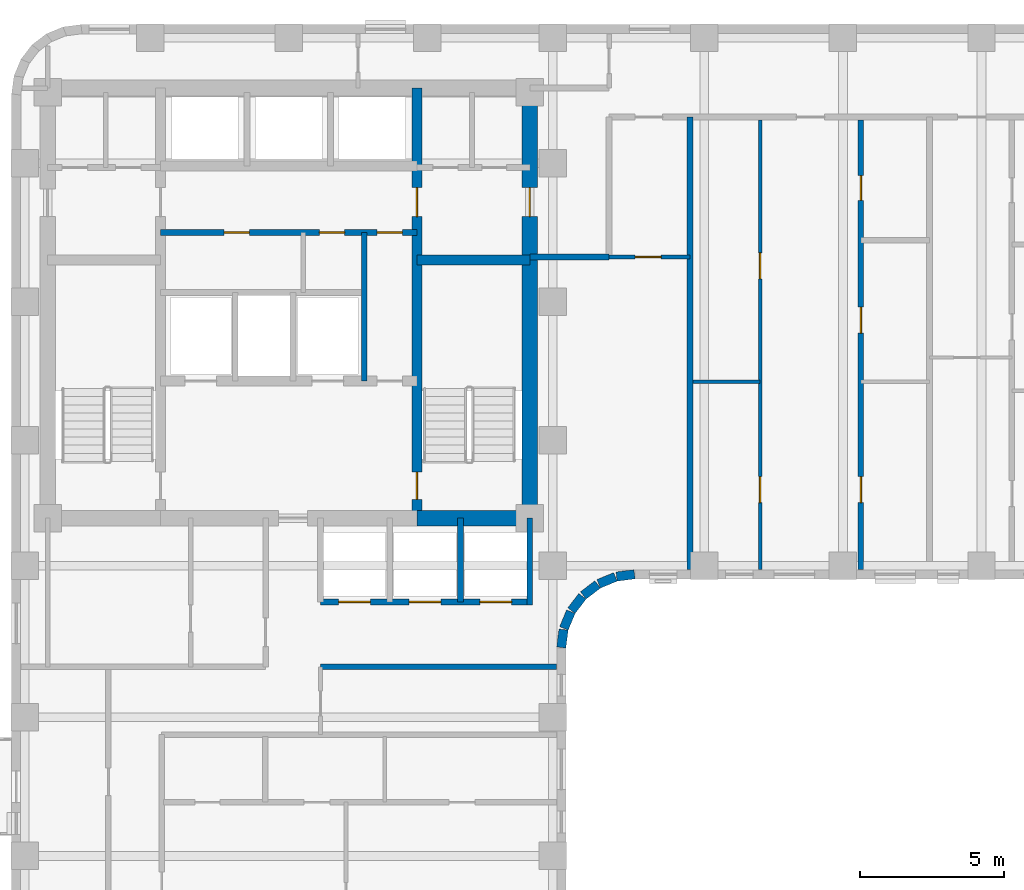
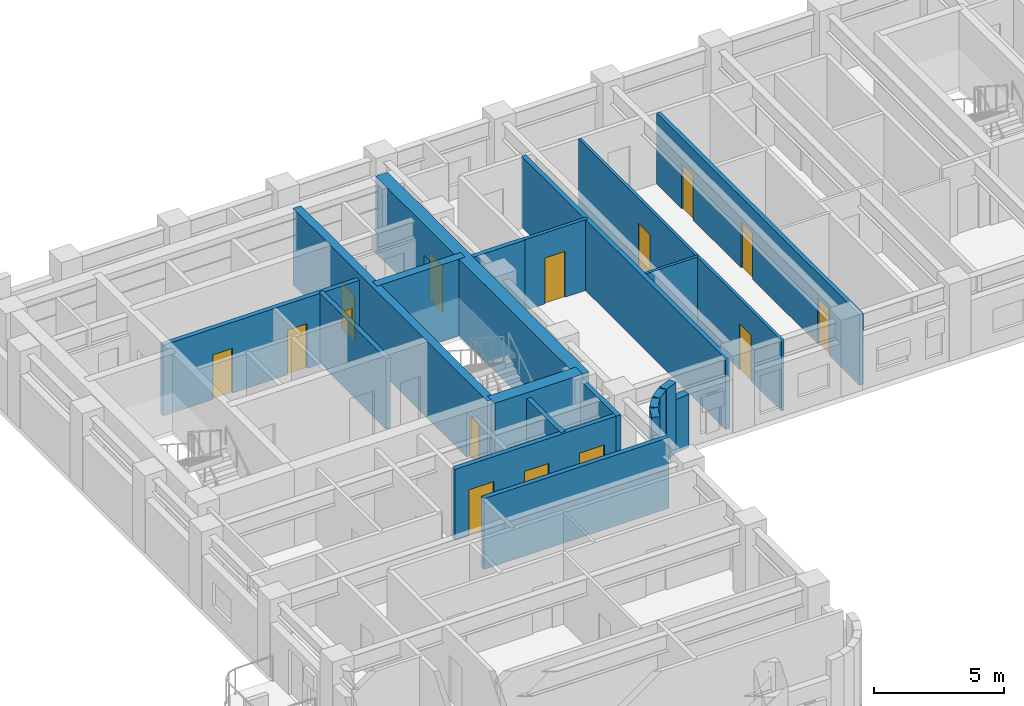
# One storey, part 4 of 10: 22 walls, 15 doors, 15 openings.
"""IFC4 building model written with IfcOpenShell, lengths in metres."""

from ifc_helpers import new_model, si_unit, direction, frame, frame_2d, origin, place, context, subcontext, project, spatial, rectangle, extrude, material, layer, layer_set, type_object, element, fill, save


model = new_model("IFC4")

# Units and contexts
model_context = context("Model", 3, precision=1e-05, world=origin(), true_north=direction((0.0, 1.0)))
body_context = subcontext(model_context, "Body", "Model", "MODEL_VIEW")
ifc_project = project(units=[si_unit("LENGTHUNIT", "METRE"), si_unit("AREAUNIT", "SQUARE_METRE"), si_unit("VOLUMEUNIT", "CUBIC_METRE"), si_unit("PLANEANGLEUNIT", "RADIAN"), si_unit("MASSUNIT", "GRAM", prefix="KILO")], contexts=[model_context])

# Site, building, storey
site_placement = place(None, origin())
site = spatial("IfcSite", under=ifc_project, at=site_placement, CompositionType="ELEMENT")
building_placement = place(site_placement, origin())
building = spatial("IfcBuilding", under=site, at=building_placement, Name="Orvandelia Arch Residences", CompositionType="ELEMENT")
storey_placement = place(building_placement, frame((0.0, 0.0, 150.39990234375)))
storey = spatial("IfcBuildingStorey", under=building, at=storey_placement, Name="L39", CompositionType="ELEMENT", Elevation=150.39990234375)

# Wall, openings, doors
ifc_material_1 = material(Name="Concrete C50/60", Category="concrete")
ifc_layer_1 = layer(ifc_material_1, 0.35009765625, Name="Concrete C50/60", Category="concrete")
ifc_layer_set_1 = layer_set([ifc_layer_1], Name="Concrete C50/60")
wall_type_1 = type_object("IfcWallType", Name="WL-CORE-350", PredefinedType="SHEAR", material=ifc_layer_set_1)
wall_1_placement = place(storey_placement, frame((18.840087890625, 30.89990234375, 0.0), z_axis=(0.0, 0.0, 1.0), x_axis=(0.0, 1.0, 0.0)))
wall_1 = element("IfcWall", 1, at=wall_1_placement, inside=storey, type_object=wall_type_1, Name="Core Shear Wall L39-WEB2", PredefinedType="SHEAR", context=body_context, shape_type="SweptSolid", body=[
    extrude(rectangle(XDim=14.900146484375, YDim=0.35009765625, at=frame_2d((7.4501953125, 0.0))), origin(), (0.0, 0.0, 1.0), 3.60009765625),
])
opening_1_placement = place(wall_1_placement, frame((0.64990234375, 0.0, 0.0)))
opening_1 = element("IfcOpeningElement", 2, at=opening_1_placement, cuts=wall_1, Name="Opening D7", PredefinedType="OPENING", context=body_context, shape_type="SweptSolid", body=[
    extrude(rectangle(XDim=0.949951171875, YDim=2.10009765625, at=frame_2d((0.47509765625, 1.050048828125))), frame((0.0, 0.18505859375, 0.0), z_axis=(0.0, -1.0, 0.0), x_axis=(1.0, 0.0, 0.0)), (0.0, 0.0, 1.0), 0.3701171875),
])
opening_2_placement = place(wall_1_placement, frame((10.449951171875, 0.0, 0.0)))
opening_2 = element("IfcOpeningElement", 3, at=opening_2_placement, cuts=wall_1, Name="Opening D6", PredefinedType="OPENING", context=body_context, shape_type="SweptSolid", body=[
    extrude(rectangle(XDim=1.0, YDim=2.14990234375, at=frame_2d((0.5, 1.074951171875))), frame((0.0, 0.18505859375, 0.0), z_axis=(0.0, -1.0, 0.0), x_axis=(1.0, 0.0, 0.0)), (0.0, 0.0, 1.0), 0.3701171875),
])
ifc_material_2 = material(Name="Smokeproof Painted Steel Fire Door", Category="steel")
door_type_1 = type_object("IfcDoorType", Name="DR-FD60-1000", OperationType="NOTDEFINED", PredefinedType="DOOR", material=ifc_material_2)
door_1_placement = place(opening_2_placement, origin())
door_1 = element("IfcDoor", 4, at=door_1_placement, inside=storey, type_object=door_type_1, Name="High-Rise Lift Hall East Vestibule Door L39", OperationType="SINGLE_SWING_RIGHT", OverallHeight=2.14990234375, OverallWidth=1.0, PredefinedType="DOOR", context=body_context, shape_type="SweptSolid", body=[
    extrude(rectangle(XDim=1.0, YDim=2.14990234375, at=frame_2d((0.5, 1.074951171875))), frame((0.0, 0.02490234375, 0.0), z_axis=(0.0, -1.0, 0.0), x_axis=(1.0, 0.0, 0.0)), (0.0, 0.0, 1.0), 0.050048828125),
])
fill(opening_2, door_1)
ifc_material_3 = material(Name="Pressurised Stairwell Fire Door")
door_type_2 = type_object("IfcDoorType", Name="DR-STAIR-950", OperationType="NOTDEFINED", PredefinedType="DOOR", material=ifc_material_3)
door_2_placement = place(opening_1_placement, origin())
door_2 = element("IfcDoor", 5, at=door_2_placement, inside=storey, type_object=door_type_2, Name="Stairwell ST-2 Fire Door L39", OperationType="SINGLE_SWING_RIGHT", OverallHeight=2.10009765625, OverallWidth=0.949951171875, PredefinedType="DOOR", context=body_context, shape_type="SweptSolid", body=[
    extrude(rectangle(XDim=0.949951171875, YDim=2.10009765625, at=frame_2d((0.47509765625, 1.050048828125))), frame((0.0, 0.02490234375, 0.0), z_axis=(0.0, -1.0, 0.0), x_axis=(1.0, 0.0, 0.0)), (0.0, 0.0, 1.0), 0.050048828125),
])
fill(opening_1, door_2)

# Wall
wall_2_placement = place(storey_placement, frame((18.840087890625, 39.85009765625, 0.0), z_axis=(0.0, 0.0, 1.0), x_axis=(1.0, 0.0, 0.0)))
element("IfcWall", 6, at=wall_2_placement, inside=storey, type_object=wall_type_1, Name="Core Shear Wall L39-HZ2", PredefinedType="SHEAR", context=body_context, shape_type="SweptSolid", body=[
    extrude(rectangle(XDim=3.909912109375, YDim=0.35009765625, at=frame_2d((1.955078125, 0.0))), origin(), (0.0, 0.0, 1.0), 3.60009765625),
])

# Wall, opening, door
ifc_material_4 = material(Name="Concrete C60/75", Category="concrete")
ifc_layer_2 = layer(ifc_material_4, 0.550048828125, Name="Concrete C60/75", Category="concrete")
ifc_layer_set_2 = layer_set([ifc_layer_2], Name="Concrete C60/75")
wall_type_2 = type_object("IfcWallType", Name="WL-CORE-550", PredefinedType="SHEAR", material=ifc_layer_set_2)
wall_3_placement = place(storey_placement, frame((22.75, 30.625, 0.0), z_axis=(0.0, 0.0, 1.0), x_axis=(0.0, 1.0, 0.0)))
wall_3 = element("IfcWall", 7, at=wall_3_placement, inside=storey, type_object=wall_type_2, Name="Core Shear Wall L39-E", PredefinedType="SHEAR", context=body_context, shape_type="SweptSolid", body=[
    extrude(rectangle(XDim=15.449951171875, YDim=0.550048828125, at=frame_2d((7.72509765625, 0.0))), origin(), (0.0, 0.0, 1.0), 3.60009765625),
])
opening_3_placement = place(wall_3_placement, frame((10.72509765625, 0.0, 0.0)))
opening_3 = element("IfcOpeningElement", 8, at=opening_3_placement, cuts=wall_3, Name="Opening D6", PredefinedType="OPENING", context=body_context, shape_type="SweptSolid", body=[
    extrude(rectangle(XDim=1.0, YDim=2.14990234375, at=frame_2d((0.5, 1.074951171875))), frame((0.0, 0.28515625, 0.0), z_axis=(0.0, -1.0, 0.0), x_axis=(1.0, 0.0, 0.0)), (0.0, 0.0, 1.0), 0.570068359375),
])
door_3_placement = place(opening_3_placement, origin())
door_3 = element("IfcDoor", 9, at=door_3_placement, inside=storey, type_object=door_type_1, Name="Core East Corridor Link Door L39", OperationType="SINGLE_SWING_LEFT", OverallHeight=2.14990234375, OverallWidth=1.0, PredefinedType="DOOR", context=body_context, shape_type="SweptSolid", body=[
    extrude(rectangle(XDim=1.0, YDim=2.14990234375, at=frame_2d((0.5, 1.074951171875))), frame((0.0, 0.02490234375, 0.0), z_axis=(0.0, -1.0, 0.0), x_axis=(1.0, 0.0, 0.0)), (0.0, 0.0, 1.0), 0.050048828125),
])
fill(opening_3, door_3)

# Walls
wall_4_placement = place(storey_placement, frame((18.840087890625, 30.89990234375, 0.0), z_axis=(0.0, 0.0, 1.0), x_axis=(1.0, 0.0, 0.0)))
element("IfcWall", 10, at=wall_4_placement, inside=storey, type_object=wall_type_2, Name="Core Shear Wall L39-SE", PredefinedType="SHEAR", context=body_context, shape_type="SweptSolid", body=[
    extrude(rectangle(XDim=3.909912109375, YDim=0.550048828125, at=frame_2d((1.955078125, 0.0))), origin(), (0.0, 0.0, 1.0), 3.60009765625),
])
ifc_material_5 = material(Name="Fire-Rated Corridor Partition")
ifc_layer_3 = layer(ifc_material_5, 0.199951171875, Name="Fire-Rated Corridor Partition")
ifc_layer_set_3 = layer_set([ifc_layer_3], Name="Fire-Rated Corridor Partition")
wall_type_3 = type_object("IfcWallType", Name="WL-CORR-200", PredefinedType="PARTITIONING", material=ifc_layer_set_3)
wall_5_placement = place(storey_placement, frame((15.5, 25.75, 0.0), z_axis=(0.0, 0.0, 1.0), x_axis=(1.0, 0.0, 0.0)))
element("IfcWall", 11, at=wall_5_placement, inside=storey, type_object=wall_type_3, Name="Interior Partition Wall WL-L39-WLNK-NE2", PredefinedType="PARTITIONING", context=body_context, shape_type="SweptSolid", body=[
    extrude(rectangle(XDim=8.179931640625, YDim=0.199951171875, at=frame_2d((4.08984375, 0.0))), origin(), (0.0, 0.0, 1.0), 3.320068359375),
])
wall_6_placement = place(storey_placement, frame((22.75, 39.949951171875, 0.0), z_axis=(0.0, 0.0, 1.0), x_axis=(1.0, 0.0, 0.0)))
element("IfcWall", 12, at=wall_6_placement, inside=storey, type_object=wall_type_3, Name="Interior Partition Wall WL-L39-EN2-LS", PredefinedType="PARTITIONING", context=body_context, shape_type="SweptSolid", body=[
    extrude(rectangle(XDim=2.75, YDim=0.199951171875, at=frame_2d((1.375, 0.0))), origin(), (0.0, 0.0, 1.0), 3.320068359375),
])
ifc_material_6 = material(Name="Concrete C40/50", Category="concrete")
ifc_layer_4 = layer(ifc_material_6, 0.199951171875, Name="Concrete C40/50", Category="concrete")
ifc_layer_set_4 = layer_set([ifc_layer_4], Name="Concrete C40/50")
wall_type_4 = type_object("IfcWallType", Name="WL-DEM-200", PredefinedType="SOLIDWALL", material=ifc_layer_set_4)
wall_7_placement = place(storey_placement, frame((28.300048828125, 29.1201171875, 0.0), z_axis=(0.0, 0.0, 1.0), x_axis=(0.0, 1.0, 0.0)))
element("IfcWall", 13, at=wall_7_placement, inside=storey, type_object=wall_type_4, Name="Interior Partition Wall WL-L39-EN2-KLE", PredefinedType="SOLIDWALL", context=body_context, shape_type="SweptSolid", body=[
    extrude(rectangle(XDim=15.679931640625, YDim=0.199951171875, at=frame_2d((7.83984375, 0.0))), origin(), (0.0, 0.0, 1.0), 3.320068359375),
])
ifc_material_7 = material(Name="Precast concrete C40/50", Category="concrete")
ifc_layer_5 = layer(ifc_material_7, 0.320068359375, Name="Precast concrete C40/50", Category="concrete")
ifc_layer_set_5 = layer_set([ifc_layer_5], Name="Precast concrete C40/50")
wall_type_5 = type_object("IfcWallType", Name="WL-EXT-STONE-320", PredefinedType="STANDARD", material=ifc_layer_set_5)
wall_8_placement = place(storey_placement, frame((26.379150390625, 28.95849609375, 0.0), z_axis=(0.0, 0.0, 1.0), x_axis=(-0.991447664465, -0.130504898859, 0.0)))
element("IfcWall", 14, at=wall_8_placement, inside=storey, type_object=wall_type_5, Name="Coral-Limestone Precast Facade Wall L39-022", PredefinedType="STANDARD", context=body_context, shape_type="SweptSolid", body=[
    extrude(rectangle(XDim=0.626708984375, YDim=0.320068359375, at=frame_2d((0.3134765625, 0.0))), origin(), (0.0, 0.0, 1.0), 2.5),
])
wall_9_placement = place(storey_placement, frame((25.717529296875, 28.865966796875, 0.0), z_axis=(0.0, 0.0, 1.0), x_axis=(-0.923836271867, -0.382787856107, 0.0)))
element("IfcWall", 15, at=wall_9_placement, inside=storey, type_object=wall_type_5, Name="Coral-Limestone Precast Facade Wall L39-023", PredefinedType="STANDARD", context=body_context, shape_type="SweptSolid", body=[
    extrude(rectangle(XDim=0.626220703125, YDim=0.320068359375, at=frame_2d((0.31298828125, 0.0))), origin(), (0.0, 0.0, 1.0), 3.320068359375),
])
for number, where, z_axis, x_axis, name in (
    (16, (25.1025390625, 28.60546875, 0.0), (0.0, 0.0, 1.0), (-0.793405610854, -0.608693302629, 0.0), "Coral-Limestone Precast Facade Wall L39-024"),
    (17, (24.575927734375, 28.194580078125, 0.0), (0.0, 0.0, 1.0), (-0.608693302629, -0.793405610854, 0.0), "Coral-Limestone Precast Facade Wall L39-025"),
):
    element("IfcWall", number, at=place(storey_placement, frame(where, z_axis=z_axis, x_axis=x_axis)), inside=storey, type_object=wall_type_5, Name=name, PredefinedType="STANDARD", context=body_context, shape_type="SweptSolid", body=[
        extrude(rectangle(XDim=0.62646484375, YDim=0.320068359375, at=frame_2d((0.313232421875, 0.0))), origin(), (0.0, 0.0, 1.0), 3.320068359375),
    ])
wall_10_placement = place(storey_placement, frame((24.173583984375, 27.6611328125, 0.0), z_axis=(0.0, 0.0, 1.0), x_axis=(-0.382455093999, -0.923974080304, 0.0)))
element("IfcWall", 18, at=wall_10_placement, inside=storey, type_object=wall_type_5, Name="Coral-Limestone Precast Facade Wall L39-026", PredefinedType="STANDARD", context=body_context, shape_type="SweptSolid", body=[
    extrude(rectangle(XDim=0.626220703125, YDim=0.320068359375, at=frame_2d((0.31298828125, 0.0))), origin(), (0.0, 0.0, 1.0), 3.320068359375),
])
wall_11_placement = place(storey_placement, frame((23.923095703125, 27.0419921875, 0.0), z_axis=(0.0, 0.0, 1.0), x_axis=(-0.130555323746, -0.9914410257, 0.0)))
element("IfcWall", 19, at=wall_11_placement, inside=storey, type_object=wall_type_5, Name="Coral-Limestone Precast Facade Wall L39-027", PredefinedType="STANDARD", context=body_context, shape_type="SweptSolid", body=[
    extrude(rectangle(XDim=0.62646484375, YDim=0.320068359375, at=frame_2d((0.313232421875, 0.0))), origin(), (0.0, 0.0, 1.0), 2.5),
])

# Wall, openings, doors
ifc_material_8 = material(Name="Lightweight Gypsum Stud Partition")
ifc_layer_6 = layer(ifc_material_8, 0.1201171875, Name="Lightweight Gypsum Stud Partition")
ifc_layer_set_6 = layer_set([ifc_layer_6], Name="Lightweight Gypsum Stud Partition")
wall_type_6 = type_object("IfcWallType", Name="WL-PART-120", PredefinedType="PARTITIONING", material=ifc_layer_set_6)
wall_12_placement = place(storey_placement, frame((30.73095703125, 29.1201171875, 0.0), z_axis=(0.0, 0.0, 1.0), x_axis=(0.0, 1.0, 0.0)))
wall_12 = element("IfcWall", 20, at=wall_12_placement, inside=storey, type_object=wall_type_6, Name="Interior Partition Wall WL-L39-U03-VB", PredefinedType="PARTITIONING", context=body_context, shape_type="SweptSolid", body=[
    extrude(rectangle(XDim=15.579833984375, YDim=0.1201171875, at=frame_2d((7.7900390625, 0.0))), origin(), (0.0, 0.0, 1.0), 3.320068359375),
])
opening_4_placement = place(wall_12_placement, frame((2.323486328125, 0.0, 0.0)))
opening_4 = element("IfcOpeningElement", 21, at=opening_4_placement, cuts=wall_12, Name="Opening D3", PredefinedType="OPENING", context=body_context, shape_type="SweptSolid", body=[
    extrude(rectangle(XDim=0.89990234375, YDim=2.14990234375, at=frame_2d((0.449951171875, 1.074951171875))), frame((0.0, 0.070068359375, 0.0), z_axis=(0.0, -1.0, 0.0), x_axis=(1.0, 0.0, 0.0)), (0.0, 0.0, 1.0), 0.14013671875),
])
opening_5_placement = place(wall_12_placement, frame((10.073486328125, 0.0, 0.0)))
opening_5 = element("IfcOpeningElement", 22, at=opening_5_placement, cuts=wall_12, Name="Opening D3", PredefinedType="OPENING", context=body_context, shape_type="SweptSolid", body=[
    extrude(rectangle(XDim=0.89990234375, YDim=2.14990234375, at=frame_2d((0.449951171875, 1.074951171875))), frame((0.0, 0.070068359375, 0.0), z_axis=(0.0, -1.0, 0.0), x_axis=(1.0, 0.0, 0.0)), (0.0, 0.0, 1.0), 0.14013671875),
])
ifc_material_9 = material(Name="Engineered Timber Flush Door", Category="wood")
door_type_3 = type_object("IfcDoorType", Name="DR-INT-900", OperationType="NOTDEFINED", PredefinedType="DOOR", material=ifc_material_9)
door_4_placement = place(opening_4_placement, origin())
door_4 = element("IfcDoor", 23, at=door_4_placement, inside=storey, type_object=door_type_3, Name="DR-L39-U03-BD2", OperationType="SINGLE_SWING_RIGHT", OverallHeight=2.14990234375, OverallWidth=0.89990234375, PredefinedType="DOOR", context=body_context, shape_type="SweptSolid", body=[
    extrude(rectangle(XDim=0.89990234375, YDim=2.14990234375, at=frame_2d((0.449951171875, 1.074951171875))), frame((0.0, 0.02490234375, 0.0), z_axis=(0.0, -1.0, 0.0), x_axis=(1.0, 0.0, 0.0)), (0.0, 0.0, 1.0), 0.050048828125),
])
fill(opening_4, door_4)
door_5_placement = place(opening_5_placement, origin())
door_5 = element("IfcDoor", 24, at=door_5_placement, inside=storey, type_object=door_type_3, Name="DR-L39-U03-STDY", OperationType="SINGLE_SWING_LEFT", OverallHeight=2.14990234375, OverallWidth=0.89990234375, PredefinedType="DOOR", context=body_context, shape_type="SweptSolid", body=[
    extrude(rectangle(XDim=0.89990234375, YDim=2.14990234375, at=frame_2d((0.449951171875, 1.074951171875))), frame((0.0, 0.02490234375, 0.0), z_axis=(0.0, -1.0, 0.0), x_axis=(1.0, 0.0, 0.0)), (0.0, 0.0, 1.0), 0.050048828125),
])
fill(opening_5, door_5)

# Wall
wall_13_placement = place(storey_placement, frame((28.39990234375, 35.62890625, 0.0), z_axis=(0.0, 0.0, 1.0), x_axis=(1.0, 0.0, 0.0)))
element("IfcWall", 25, at=wall_13_placement, inside=storey, type_object=wall_type_6, Name="Interior Partition Wall WL-L39-U03-HB", PredefinedType="PARTITIONING", context=body_context, shape_type="SweptSolid", body=[
    extrude(rectangle(XDim=2.3310546875, YDim=0.1201171875, at=frame_2d((1.16552734375, 0.0))), origin(), (0.0, 0.0, 1.0), 3.320068359375),
])

# Wall, opening, door
ifc_material_10 = material(Name="Acoustic Gypsum Stud Partition")
ifc_layer_7 = layer(ifc_material_10, 0.14990234375, Name="Acoustic Gypsum Stud Partition")
ifc_layer_set_7 = layer_set([ifc_layer_7], Name="Acoustic Gypsum Stud Partition")
wall_type_7 = type_object("IfcWallType", Name="WL-PART-150", PredefinedType="PARTITIONING", material=ifc_layer_set_7)
wall_14_placement = place(storey_placement, frame((25.5, 39.949951171875, 0.0), z_axis=(0.0, 0.0, 1.0), x_axis=(1.0, 0.0, 0.0)))
wall_14 = element("IfcWall", 26, at=wall_14_placement, inside=storey, type_object=wall_type_7, Name="Interior Partition Wall WL-L39-EN2-KLN", PredefinedType="PARTITIONING", context=body_context, shape_type="SweptSolid", body=[
    extrude(rectangle(XDim=2.800048828125, YDim=0.14990234375, at=frame_2d((1.39990234375, 0.0))), origin(), (0.0, 0.0, 1.0), 3.320068359375),
])
opening_6_placement = place(wall_14_placement, frame((0.89990234375, 0.0, 0.0)))
opening_6 = element("IfcOpeningElement", 27, at=opening_6_placement, cuts=wall_14, Name="Opening D3", PredefinedType="OPENING", context=body_context, shape_type="SweptSolid", body=[
    extrude(rectangle(XDim=0.89990234375, YDim=2.14990234375, at=frame_2d((0.449951171875, 1.074951171875))), frame((0.0, 0.0849609375, 0.0), z_axis=(0.0, -1.0, 0.0), x_axis=(1.0, 0.0, 0.0)), (0.0, 0.0, 1.0), 0.169921875),
])
door_6_placement = place(opening_6_placement, origin())
door_6 = element("IfcDoor", 28, at=door_6_placement, inside=storey, type_object=door_type_3, Name="DR-L39-EN2KNK", OperationType="SINGLE_SWING_RIGHT", OverallHeight=2.14990234375, OverallWidth=0.89990234375, PredefinedType="DOOR", context=body_context, shape_type="SweptSolid", body=[
    extrude(rectangle(XDim=0.89990234375, YDim=2.14990234375, at=frame_2d((0.449951171875, 1.074951171875))), frame((0.0, 0.02490234375, 0.0), z_axis=(0.0, -1.0, 0.0), x_axis=(1.0, 0.0, 0.0)), (0.0, 0.0, 1.0), 0.050048828125),
])
fill(opening_6, door_6)

# Wall
ifc_material_11 = material(Name="Fire-Rated Shaft Enclosure Wall")
ifc_layer_8 = layer(ifc_material_11, 0.199951171875, Name="Fire-Rated Shaft Enclosure Wall")
ifc_layer_set_8 = layer_set([ifc_layer_8], Name="Fire-Rated Shaft Enclosure Wall")
wall_type_8 = type_object("IfcWallType", Name="WL-SHAFT-200", PredefinedType="POLYGONAL", material=ifc_layer_set_8)
wall_15_placement = place(storey_placement, frame((17.02001953125, 35.64990234375, 0.0), z_axis=(0.0, 0.0, 1.0), x_axis=(0.0, 1.0, 0.0)))
element("IfcWall", 29, at=wall_15_placement, inside=storey, type_object=wall_type_8, Name="Interior Partition Wall WL-L39-FLM3", PredefinedType="POLYGONAL", context=body_context, shape_type="SweptSolid", body=[
    extrude(rectangle(XDim=5.150146484375, YDim=0.199951171875, at=frame_2d((2.5751953125, 0.0))), origin(), (0.0, 0.0, 1.0), 3.320068359375),
])

# Wall, openings, doors
wall_16_placement = place(storey_placement, frame((9.9599609375, 40.800048828125, 0.0), z_axis=(0.0, 0.0, 1.0), x_axis=(1.0, 0.0, 0.0)))
wall_16 = element("IfcWall", 30, at=wall_16_placement, inside=storey, type_object=wall_type_8, Name="Interior Partition Wall WL-L39-HLH-S", PredefinedType="POLYGONAL", context=body_context, shape_type="SweptSolid", body=[
    extrude(rectangle(XDim=8.880126953125, YDim=0.199951171875, at=frame_2d((4.43994140625, 0.0))), origin(), (0.0, 0.0, 1.0), 3.320068359375),
])
opening_7_placement = place(wall_16_placement, frame((7.5, 0.0, 0.0)))
opening_7 = element("IfcOpeningElement", 31, at=opening_7_placement, cuts=wall_16, Name="Opening D5", PredefinedType="OPENING", context=body_context, shape_type="SweptSolid", body=[
    extrude(rectangle(XDim=0.8798828125, YDim=2.10009765625, at=frame_2d((0.43994140625, 1.050048828125))), frame((0.0, 0.10986328125, 0.0), z_axis=(0.0, -1.0, 0.0), x_axis=(1.0, 0.0, 0.0)), (0.0, 0.0, 1.0), 0.219970703125),
])
opening_8_placement = place(wall_16_placement, frame((2.199951171875, 0.0, 0.0)))
opening_8 = element("IfcOpeningElement", 32, at=opening_8_placement, cuts=wall_16, Name="Opening D5", PredefinedType="OPENING", context=body_context, shape_type="SweptSolid", body=[
    extrude(rectangle(XDim=0.8798828125, YDim=2.10009765625, at=frame_2d((0.43994140625, 1.050048828125))), frame((0.0, 0.10986328125, 0.0), z_axis=(0.0, -1.0, 0.0), x_axis=(1.0, 0.0, 0.0)), (0.0, 0.0, 1.0), 0.219970703125),
])
opening_9_placement = place(wall_16_placement, frame((5.5, 0.0, 0.0)))
opening_9 = element("IfcOpeningElement", 33, at=opening_9_placement, cuts=wall_16, Name="Opening D5", PredefinedType="OPENING", context=body_context, shape_type="SweptSolid", body=[
    extrude(rectangle(XDim=0.8798828125, YDim=2.10009765625, at=frame_2d((0.43994140625, 1.050048828125))), frame((0.0, 0.10986328125, 0.0), z_axis=(0.0, -1.0, 0.0), x_axis=(1.0, 0.0, 0.0)), (0.0, 0.0, 1.0), 0.219970703125),
])
ifc_material_12 = material(Name="Painted Galvanised Steel Service Door", Category="steel")
door_type_4 = type_object("IfcDoorType", Name="DR-SRV-880", OperationType="NOTDEFINED", PredefinedType="DOOR", material=ifc_material_12)
door_7_placement = place(opening_7_placement, origin())
door_7 = element("IfcDoor", 34, at=door_7_placement, inside=storey, type_object=door_type_4, Name="Core Stairway Passage North Fire Door L39", OperationType="SINGLE_SWING_RIGHT", OverallHeight=2.10009765625, OverallWidth=0.8798828125, PredefinedType="DOOR", context=body_context, shape_type="SweptSolid", body=[
    extrude(rectangle(XDim=0.8798828125, YDim=2.10009765625, at=frame_2d((0.43994140625, 1.050048828125))), frame((0.0, 0.02490234375, 0.0), z_axis=(0.0, -1.0, 0.0), x_axis=(1.0, 0.0, 0.0)), (0.0, 0.0, 1.0), 0.050048828125),
])
fill(opening_7, door_7)
door_8_placement = place(opening_8_placement, origin())
door_8 = element("IfcDoor", 35, at=door_8_placement, inside=storey, type_object=door_type_4, Name="DR-L39-CSA1", OperationType="SINGLE_SWING_RIGHT", OverallHeight=2.10009765625, OverallWidth=0.8798828125, PredefinedType="DOOR", context=body_context, shape_type="SweptSolid", body=[
    extrude(rectangle(XDim=0.8798828125, YDim=2.10009765625, at=frame_2d((0.43994140625, 1.050048828125))), frame((0.0, 0.02490234375, 0.0), z_axis=(0.0, -1.0, 0.0), x_axis=(1.0, 0.0, 0.0)), (0.0, 0.0, 1.0), 0.050048828125),
])
fill(opening_8, door_8)
door_9_placement = place(opening_9_placement, origin())
door_9 = element("IfcDoor", 36, at=door_9_placement, inside=storey, type_object=door_type_4, Name="DR-L39-CSA2", OperationType="SINGLE_SWING_LEFT", OverallHeight=2.10009765625, OverallWidth=0.8798828125, PredefinedType="DOOR", context=body_context, shape_type="SweptSolid", body=[
    extrude(rectangle(XDim=0.8798828125, YDim=2.10009765625, at=frame_2d((0.43994140625, 1.050048828125))), frame((0.0, 0.02490234375, 0.0), z_axis=(0.0, -1.0, 0.0), x_axis=(1.0, 0.0, 0.0)), (0.0, 0.0, 1.0), 0.050048828125),
])
fill(opening_9, door_9)

wall_17_placement = place(storey_placement, frame((15.5, 28.0, 0.0), z_axis=(0.0, 0.0, 1.0), x_axis=(1.0, 0.0, 0.0)))
wall_17 = element("IfcWall", 37, at=wall_17_placement, inside=storey, type_object=wall_type_8, Name="Interior Partition Wall WL-L39-BNKM-S", PredefinedType="POLYGONAL", context=body_context, shape_type="SweptSolid", body=[
    extrude(rectangle(XDim=7.25, YDim=0.199951171875, at=frame_2d((3.625, 0.0))), origin(), (0.0, 0.0, 1.0), 3.320068359375),
])
opening_10_placement = place(wall_17_placement, frame((0.625, 0.0, 0.0)))
opening_10 = element("IfcOpeningElement", 38, at=opening_10_placement, cuts=wall_17, Name="Opening LD", PredefinedType="OPENING", context=body_context, shape_type="SweptSolid", body=[
    extrude(rectangle(XDim=1.10009765625, YDim=2.14990234375, at=frame_2d((0.550048828125, 1.074951171875))), frame((0.0, 0.10986328125, 0.0), z_axis=(0.0, -1.0, 0.0), x_axis=(1.0, 0.0, 0.0)), (0.0, 0.0, 1.0), 0.219970703125),
])
opening_11_placement = place(wall_17_placement, frame((3.074951171875, 0.0, 0.0)))
opening_11 = element("IfcOpeningElement", 39, at=opening_11_placement, cuts=wall_17, Name="Opening LD", PredefinedType="OPENING", context=body_context, shape_type="SweptSolid", body=[
    extrude(rectangle(XDim=1.10009765625, YDim=2.14990234375, at=frame_2d((0.550048828125, 1.074951171875))), frame((0.0, 0.10986328125, 0.0), z_axis=(0.0, -1.0, 0.0), x_axis=(1.0, 0.0, 0.0)), (0.0, 0.0, 1.0), 0.219970703125),
])
opening_12_placement = place(wall_17_placement, frame((5.52490234375, 0.0, 0.0)))
opening_12 = element("IfcOpeningElement", 40, at=opening_12_placement, cuts=wall_17, Name="Opening LD", PredefinedType="OPENING", context=body_context, shape_type="SweptSolid", body=[
    extrude(rectangle(XDim=1.10009765625, YDim=2.14990234375, at=frame_2d((0.550048828125, 1.074951171875))), frame((0.0, 0.10986328125, 0.0), z_axis=(0.0, -1.0, 0.0), x_axis=(1.0, 0.0, 0.0)), (0.0, 0.0, 1.0), 0.219970703125),
])
ifc_material_13 = material(Name="Brushed Stainless Steel Sliding Lift Door", Category="steel")
door_type_5 = type_object("IfcDoorType", Name="DR-LIFT-1100", OperationType="NOTDEFINED", PredefinedType="DOOR", material=ifc_material_13)
door_10_placement = place(opening_10_placement, origin())
door_10 = element("IfcDoor", 41, at=door_10_placement, inside=storey, type_object=door_type_5, Name="Lift Landing Door LD-PM1", OperationType="SLIDING_TO_LEFT", OverallHeight=2.14990234375, OverallWidth=1.10009765625, PredefinedType="DOOR", context=body_context, shape_type="SweptSolid", body=[
    extrude(rectangle(XDim=1.10009765625, YDim=2.14990234375, at=frame_2d((0.550048828125, 1.074951171875))), frame((0.0, 0.02490234375, 0.0), z_axis=(0.0, -1.0, 0.0), x_axis=(1.0, 0.0, 0.0)), (0.0, 0.0, 1.0), 0.050048828125),
])
fill(opening_10, door_10)
door_11_placement = place(opening_11_placement, origin())
door_11 = element("IfcDoor", 42, at=door_11_placement, inside=storey, type_object=door_type_5, Name="Lift Landing Door LD-PM2", OperationType="SLIDING_TO_RIGHT", OverallHeight=2.14990234375, OverallWidth=1.10009765625, PredefinedType="DOOR", context=body_context, shape_type="SweptSolid", body=[
    extrude(rectangle(XDim=1.10009765625, YDim=2.14990234375, at=frame_2d((0.550048828125, 1.074951171875))), frame((0.0, 0.02490234375, 0.0), z_axis=(0.0, -1.0, 0.0), x_axis=(1.0, 0.0, 0.0)), (0.0, 0.0, 1.0), 0.050048828125),
])
fill(opening_11, door_11)
door_12_placement = place(opening_12_placement, origin())
door_12 = element("IfcDoor", 43, at=door_12_placement, inside=storey, type_object=door_type_5, Name="Lift Landing Door LD-PM3", OperationType="SLIDING_TO_LEFT", OverallHeight=2.14990234375, OverallWidth=1.10009765625, PredefinedType="DOOR", context=body_context, shape_type="SweptSolid", body=[
    extrude(rectangle(XDim=1.10009765625, YDim=2.14990234375, at=frame_2d((0.550048828125, 1.074951171875))), frame((0.0, 0.02490234375, 0.0), z_axis=(0.0, -1.0, 0.0), x_axis=(1.0, 0.0, 0.0)), (0.0, 0.0, 1.0), 0.050048828125),
])
fill(opening_12, door_12)

# Walls
wall_18_placement = place(storey_placement, frame((22.75, 27.89990234375, 0.0), z_axis=(0.0, 0.0, 1.0), x_axis=(0.0, 1.0, 0.0)))
element("IfcWall", 44, at=wall_18_placement, inside=storey, type_object=wall_type_8, Name="Interior Partition Wall WL-L39-BNKM-E", PredefinedType="POLYGONAL", context=body_context, shape_type="SweptSolid", body=[
    extrude(rectangle(XDim=3.0, YDim=0.199951171875, at=frame_2d((1.5, 0.0))), origin(), (0.0, 0.0, 1.0), 3.320068359375),
])
wall_19_placement = place(storey_placement, frame((20.35009765625, 28.0, 0.0), z_axis=(0.0, 0.0, 1.0), x_axis=(0.0, 1.0, 0.0)))
element("IfcWall", 45, at=wall_19_placement, inside=storey, type_object=wall_type_8, Name="Interior Partition Wall WL-L39-BNKMD-2035", PredefinedType="POLYGONAL", context=body_context, shape_type="SweptSolid", body=[
    extrude(rectangle(XDim=2.89990234375, YDim=0.199951171875, at=frame_2d((1.449951171875, 0.0))), origin(), (0.0, 0.0, 1.0), 3.320068359375),
])

# Wall, openings, doors
ifc_material_14 = material(Name="Moisture-Resistant Plumbing Wall")
ifc_layer_9 = layer(ifc_material_14, 0.179931640625, Name="Moisture-Resistant Plumbing Wall")
ifc_layer_set_9 = layer_set([ifc_layer_9], Name="Moisture-Resistant Plumbing Wall")
wall_type_9 = type_object("IfcWallType", Name="WL-WET-180", PredefinedType="PLUMBINGWALL", material=ifc_layer_set_9)
wall_20_placement = place(storey_placement, frame((34.219970703125, 29.1201171875, 0.0), z_axis=(0.0, 0.0, 1.0), x_axis=(0.0, 1.0, 0.0)))
wall_20 = element("IfcWall", 46, at=wall_20_placement, inside=storey, type_object=wall_type_9, Name="Interior Partition Wall WL-L39-U03-VT", PredefinedType="PLUMBINGWALL", context=body_context, shape_type="SweptSolid", body=[
    extrude(rectangle(XDim=15.579833984375, YDim=0.179931640625, at=frame_2d((7.7900390625, 0.0))), origin(), (0.0, 0.0, 1.0), 3.320068359375),
])
opening_13_placement = place(wall_20_placement, frame((2.323486328125, 0.0, 0.0)))
opening_13 = element("IfcOpeningElement", 47, at=opening_13_placement, cuts=wall_20, Name="Opening D3", PredefinedType="OPENING", context=body_context, shape_type="SweptSolid", body=[
    extrude(rectangle(XDim=0.89990234375, YDim=2.14990234375, at=frame_2d((0.449951171875, 1.074951171875))), frame((0.0, 0.10009765625, 0.0), z_axis=(0.0, -1.0, 0.0), x_axis=(1.0, 0.0, 0.0)), (0.0, 0.0, 1.0), 0.199951171875),
])
opening_14_placement = place(wall_20_placement, frame((8.195556640625, 0.0, 0.0)))
opening_14 = element("IfcOpeningElement", 48, at=opening_14_placement, cuts=wall_20, Name="Opening D3", PredefinedType="OPENING", context=body_context, shape_type="SweptSolid", body=[
    extrude(rectangle(XDim=0.89990234375, YDim=2.14990234375, at=frame_2d((0.449951171875, 1.074951171875))), frame((0.0, 0.10009765625, 0.0), z_axis=(0.0, -1.0, 0.0), x_axis=(1.0, 0.0, 0.0)), (0.0, 0.0, 1.0), 0.199951171875),
])
opening_15_placement = place(wall_20_placement, frame((12.789794921875, 0.0, 0.0)))
opening_15 = element("IfcOpeningElement", 49, at=opening_15_placement, cuts=wall_20, Name="Opening D4", PredefinedType="OPENING", context=body_context, shape_type="SweptSolid", body=[
    extrude(rectangle(XDim=0.860107421875, YDim=2.10009765625, at=frame_2d((0.43017578125, 1.050048828125))), frame((0.0, 0.10009765625, 0.0), z_axis=(0.0, -1.0, 0.0), x_axis=(1.0, 0.0, 0.0)), (0.0, 0.0, 1.0), 0.199951171875),
])
door_13_placement = place(opening_13_placement, origin())
door_13 = element("IfcDoor", 50, at=door_13_placement, inside=storey, type_object=door_type_3, Name="DR-L39-U03-BD1", OperationType="SINGLE_SWING_LEFT", OverallHeight=2.14990234375, OverallWidth=0.89990234375, PredefinedType="DOOR", context=body_context, shape_type="SweptSolid", body=[
    extrude(rectangle(XDim=0.89990234375, YDim=2.14990234375, at=frame_2d((0.449951171875, 1.074951171875))), frame((0.0, 0.02490234375, 0.0), z_axis=(0.0, -1.0, 0.0), x_axis=(1.0, 0.0, 0.0)), (0.0, 0.0, 1.0), 0.050048828125),
])
fill(opening_13, door_13)
door_14_placement = place(opening_14_placement, origin())
door_14 = element("IfcDoor", 51, at=door_14_placement, inside=storey, type_object=door_type_3, Name="DR-L39-U03-KIT", OperationType="SINGLE_SWING_RIGHT", OverallHeight=2.14990234375, OverallWidth=0.89990234375, PredefinedType="DOOR", context=body_context, shape_type="SweptSolid", body=[
    extrude(rectangle(XDim=0.89990234375, YDim=2.14990234375, at=frame_2d((0.449951171875, 1.074951171875))), frame((0.0, 0.02490234375, 0.0), z_axis=(0.0, -1.0, 0.0), x_axis=(1.0, 0.0, 0.0)), (0.0, 0.0, 1.0), 0.050048828125),
])
fill(opening_14, door_14)
ifc_material_15 = material(Name="Moisture-Sealed Timber Bathroom Door", Category="wood")
door_type_6 = type_object("IfcDoorType", Name="DR-WET-900", OperationType="NOTDEFINED", PredefinedType="DOOR", material=ifc_material_15)
door_15_placement = place(opening_15_placement, origin())
door_15 = element("IfcDoor", 52, at=door_15_placement, inside=storey, type_object=door_type_6, Name="DR-L39-U03-BTH", OperationType="SINGLE_SWING_LEFT", OverallHeight=2.10009765625, OverallWidth=0.860107421875, PredefinedType="DOOR", context=body_context, shape_type="SweptSolid", body=[
    extrude(rectangle(XDim=0.860107421875, YDim=2.10009765625, at=frame_2d((0.43017578125, 1.050048828125))), frame((0.0, 0.02490234375, 0.0), z_axis=(0.0, -1.0, 0.0), x_axis=(1.0, 0.0, 0.0)), (0.0, 0.0, 1.0), 0.050048828125),
])
fill(opening_15, door_15)

save(model, "model.ifc")
